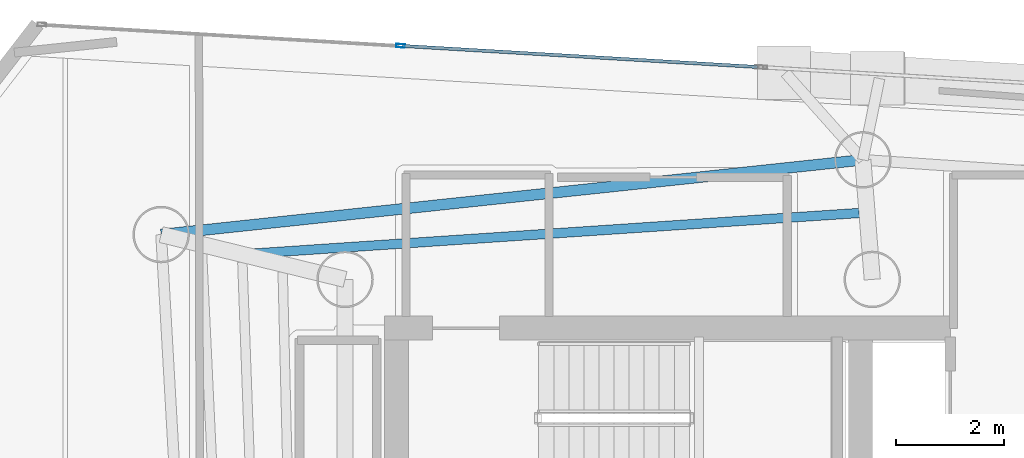
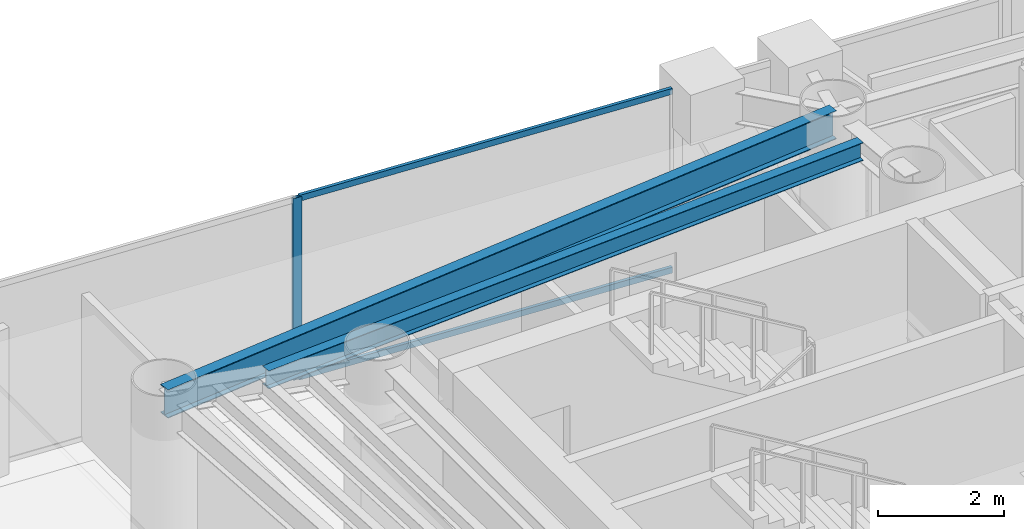
# One storey, part 10 of 20: 3 members, 2 beams, 1 element without a shape of its own.
"""IFC4 building model written with IfcOpenShell, lengths in metres."""

from ifc_helpers import new_model, si_unit, direction, frame, origin, origin_2d, place, context, subcontext, project, spatial, hollow_rectangle, i_section, extrude, material, layer, layer_set, material_profile, profile_set, type_object, element, aggregate, save


model = new_model("IFC4")

# Units and contexts
model_context = context("Model", 3, precision=1e-05, world=origin(), true_north=direction((0.0, 1.0)))
body_context = subcontext(model_context, "Body", "Model", "MODEL_VIEW")
ifc_project = project(units=[si_unit("LENGTHUNIT", "METRE"), si_unit("AREAUNIT", "SQUARE_METRE"), si_unit("VOLUMEUNIT", "CUBIC_METRE"), si_unit("PLANEANGLEUNIT", "RADIAN"), si_unit("MASSUNIT", "GRAM", prefix="KILO")], contexts=[model_context])

# Site, building, storey
site_placement = place(None, origin())
site = spatial("IfcSite", under=ifc_project, at=site_placement, CompositionType="ELEMENT")
building_placement = place(site_placement, origin())
building = spatial("IfcBuilding", under=site, at=building_placement, Name="Qianvela Tower", CompositionType="ELEMENT")
storey_placement = place(building_placement, frame((0.0, 0.0, 239.0)))
storey = spatial("IfcBuildingStorey", under=building, at=storey_placement, Name="L61", CompositionType="ELEMENT", Elevation=239.0)

# Beams
ifc_material_1 = material(Name="Steel Q355B", Category="steel")
ifc_material_profile_1 = material_profile(ifc_material_1, i_section(OverallWidth=0.175048828125, OverallDepth=0.35009765625, WebThickness=0.007080078125, FlangeThickness=0.010986328125, at=origin_2d()), Name="HN350x175x7x11")
ifc_profile_set_1 = profile_set([ifc_material_profile_1], Name="Steel Q355B")
beam_type_1 = type_object("IfcBeamType", Name="BM-HN350-JOIST", PredefinedType="JOIST", material=ifc_profile_set_1)
beam_1_placement = place(storey_placement, frame((38.15625, 34.78515625, 3.343017578125), z_axis=(-0.99776569919, -0.066810250112, 0.0), x_axis=(0.066810250112, -0.99776569919, 0.0)))
element("IfcBeam", 1, at=beam_1_placement, inside=storey, type_object=beam_type_1, Name="L61 Secondary Composite Floor Joist 2.2", PredefinedType="JOIST", context=body_context, shape_type="SweptSolid", body=[
    extrude(i_section(OverallWidth=0.175048828125, OverallDepth=0.35009765625, WebThickness=0.007080078125, FlangeThickness=0.010986328125, at=origin_2d()), origin(), (0.0, 0.0, 1.0), 11.35009765625),
])
ifc_material_2 = material(Name="Steel Q355B", Category="steel")
ifc_material_profile_2 = material_profile(ifc_material_2, i_section(OverallWidth=0.199951171875, OverallDepth=0.550048828125, WebThickness=0.010009765625, FlangeThickness=0.01611328125, at=origin_2d()), Name="HN550x200x10x16")
ifc_profile_set_2 = profile_set([ifc_material_profile_2], Name="Steel Q355B")
beam_type_2 = type_object("IfcBeamType", Name="BM-HN550-GIRD", PredefinedType="BEAM", material=ifc_profile_set_2)
beam_2_placement = place(storey_placement, frame((38.22509765625, 35.77294921875, 3.242919921875), z_axis=(-0.994378160395, -0.105887081975, 0.0), x_axis=(0.105887081975, -0.994378160395, 0.0)))
element("IfcBeam", 2, at=beam_2_placement, inside=storey, type_object=beam_type_2, Name="L61 Perimeter Ring Spandrel Girder 2", PredefinedType="BEAM", context=body_context, shape_type="SweptSolid", body=[
    extrude(i_section(OverallWidth=0.199951171875, OverallDepth=0.550048828125, WebThickness=0.010009765625, FlangeThickness=0.01611328125, at=origin_2d()), origin(), (0.0, 0.0, 1.0), 13.116943359375),
])

# Curtain wall, members
ifc_material_3 = material(Name="Anodised Architectural Aluminium and Low-E Glass", Category="aluminium")
ifc_layer = layer(ifc_material_3, 0.159912109375)
ifc_layer_set = layer_set([ifc_layer], Name="Anodised Architectural Aluminium and Low-E Glass")
curtain_wall_type = type_object("IfcCurtainWallType", Name="CW-COLIV-Z56", PredefinedType="USERDEFINED", material=ifc_layer_set)
curtain_wall_placement = place(storey_placement, origin())
curtain_wall = element("IfcCurtainWall", 3, at=curtain_wall_placement, inside=storey, type_object=curtain_wall_type, Name="L61 CW-COLIV-Z56 Curtain Wall 02C", ObjectType="CURTAIN_WALL_SYSTEM", PredefinedType="USERDEFINED")
ifc_material_4 = material(Name="Anodised Architectural Aluminium 6063-T6", Category="aluminium")
ifc_material_profile_3 = material_profile(ifc_material_4, hollow_rectangle(XDim=0.06494140625, YDim=0.159912109375, WallThickness=0.0048828125, at=origin_2d()), Name="ALU-MULL-65x160")
ifc_profile_set_3 = profile_set([ifc_material_profile_3], Name="Anodised Architectural Aluminium 6063-T6")
member_type_1 = type_object("IfcMemberType", Name="CW-COLIV-Z56-MULL", PredefinedType="MULLION", material=ifc_profile_set_3)
member_1_placement = place(storey_placement, frame((29.633056640625, 37.892578125, 0.0), z_axis=(0.0, 0.0, 1.0), x_axis=(-0.059180002432, -0.998247327726, 0.0)))
member_1 = element("IfcMember", 4, at=member_1_placement, type_object=member_type_1, Name="CW-5 mullion 2", PredefinedType="MULLION", context=body_context, shape_type="SweptSolid", body=[
    extrude(hollow_rectangle(XDim=0.06494140625, YDim=0.159912109375, WallThickness=0.0048828125, at=origin_2d()), origin(), (0.0, 0.0, 1.0), 3.52001953125),
])
ifc_material_5 = material(Name="Anodised Architectural Aluminium 6063-T6", Category="aluminium")
ifc_material_profile_4 = material_profile(ifc_material_5, hollow_rectangle(XDim=0.06005859375, YDim=0.114990234375, WallThickness=0.00390625, at=origin_2d()), Name="ALU-TRAN-60x115")
ifc_profile_set_4 = profile_set([ifc_material_profile_4], Name="Anodised Architectural Aluminium 6063-T6")
member_type_2 = type_object("IfcMemberType", Name="CW-COLIV-Z56-TRAN", PredefinedType="USERDEFINED", material=ifc_profile_set_4)
member_2_placement = place(storey_placement, frame((36.27001953125, 37.4990234375, 0.030029296875), z_axis=(-0.99824677892, 0.05918925896, 0.0), x_axis=(-0.05918925896, -0.99824677892, 0.0)))
member_2 = element("IfcMember", 5, at=member_2_placement, type_object=member_type_2, Name="CW-5 transom 1.1", ObjectType="TRANSOM", PredefinedType="USERDEFINED", context=body_context, shape_type="SweptSolid", body=[
    extrude(hollow_rectangle(XDim=0.06005859375, YDim=0.114990234375, WallThickness=0.00390625, at=origin_2d()), origin(), (0.0, 0.0, 1.0), 6.6162109375),
])
member_3_placement = place(storey_placement, frame((36.27001953125, 37.4990234375, 3.489990234375), z_axis=(-0.99824677892, 0.05918925896, 0.0), x_axis=(-0.05918925896, -0.99824677892, 0.0)))
member_3 = element("IfcMember", 6, at=member_3_placement, type_object=member_type_2, Name="CW-5 transom 1.2", ObjectType="TRANSOM", PredefinedType="USERDEFINED", context=body_context, shape_type="SweptSolid", body=[
    extrude(hollow_rectangle(XDim=0.06005859375, YDim=0.114990234375, WallThickness=0.00390625, at=origin_2d()), origin(), (0.0, 0.0, 1.0), 6.6162109375),
])
aggregate(curtain_wall, [member_1, member_2, member_3])

save(model, "model.ifc")
